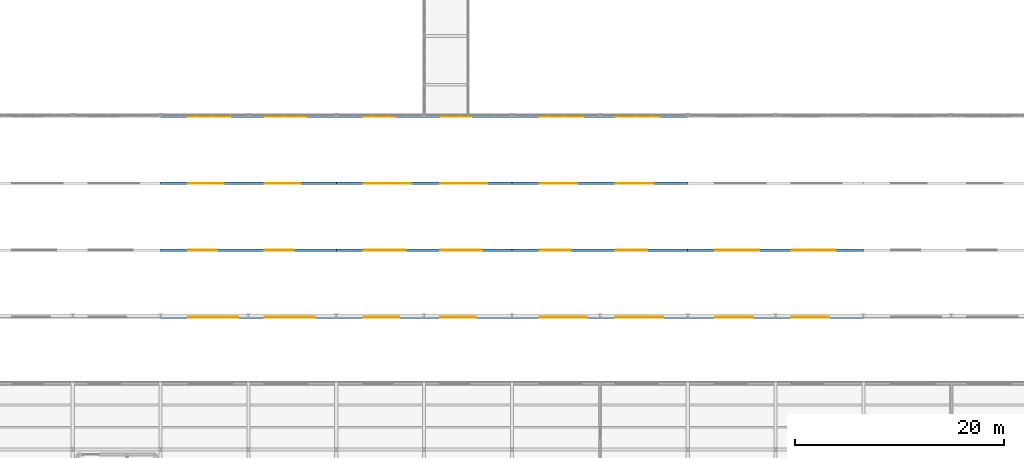
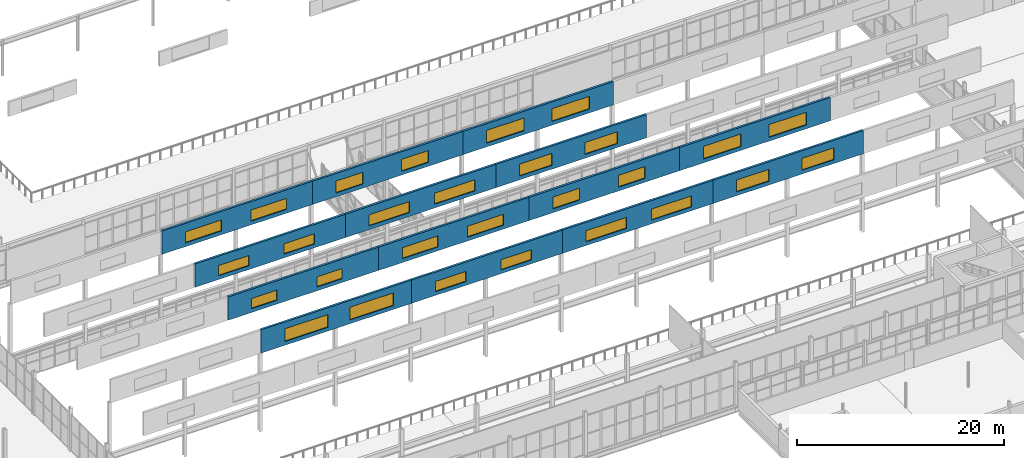
# One storey, part 201 of 218: 28 windows, 14 walls, 28 openings.
"""IFC4 building model written with IfcOpenShell, lengths in metres."""

from ifc_helpers import new_model, si_unit, direction, frame, frame_2d, origin, place, context, subcontext, project, spatial, rectangle, extrude, material, layer, layer_set, type_object, element, fill, save


model = new_model("IFC4")

# Units and contexts
model_context = context("Model", 3, precision=1e-05, world=origin(), true_north=direction((0.0, 1.0)))
body_context = subcontext(model_context, "Body", "Model", "MODEL_VIEW")
ifc_project = project(units=[si_unit("LENGTHUNIT", "METRE"), si_unit("AREAUNIT", "SQUARE_METRE"), si_unit("VOLUMEUNIT", "CUBIC_METRE"), si_unit("PLANEANGLEUNIT", "RADIAN"), si_unit("MASSUNIT", "GRAM", prefix="KILO")], contexts=[model_context])

# Site, building, storey
site_placement = place(None, origin())
site = spatial("IfcSite", under=ifc_project, at=site_placement, CompositionType="ELEMENT")
building_placement = place(site_placement, origin())
building = spatial("IfcBuilding", under=site, at=building_placement, Name="Kazenagashi Tramway Depot", CompositionType="ELEMENT")
storey_placement = place(building_placement, frame((0.0, 0.0, 6.0)))
storey = spatial("IfcBuildingStorey", under=building, at=storey_placement, Name="L02", CompositionType="ELEMENT", Elevation=6.0)

# Wall, openings, windows
ifc_material_1 = material(Name="Galvanised Steel Sheet Insulated Monitor Wall", Category="steel")
ifc_layer = layer(ifc_material_1, 0.24)
ifc_layer_set = layer_set([ifc_layer], Name="Galvanised Steel Sheet Insulated Monitor Wall")
wall_type = type_object("IfcWallType", Name="W-MN1", PredefinedType="SOLIDWALL", material=ifc_layer_set)
wall_1_placement = place(storey_placement, frame((61.6, 35.56, 9.3), z_axis=(0.0, 0.0, 1.0), x_axis=(1.0, 0.0, 0.0)))
wall_1 = element("IfcWall", 1, at=wall_1_placement, inside=storey, type_object=wall_type, Name="Exterior Brick Wall W-MN1 EWALL-0132", PredefinedType="SOLIDWALL", context=body_context, shape_type="SweptSolid", body=[
    extrude(rectangle(XDim=16.8, YDim=0.24, at=frame_2d((8.4, 0.0))), origin(), (0.0, 0.0, 1.0), 2.75),
])
opening_1_placement = place(wall_1_placement, frame((2.64, 0.0, 0.45)))
opening_1 = element("IfcOpeningElement", 2, at=opening_1_placement, cuts=wall_1, Name="Opening SK-04", PredefinedType="OPENING", context=body_context, shape_type="SweptSolid", body=[
    extrude(rectangle(XDim=4.8, YDim=1.5, at=frame_2d((2.4, 0.75))), frame((0.0, 0.13, 0.0), z_axis=(0.0, -1.0, 0.0), x_axis=(1.0, 0.0, 0.0)), (0.0, 0.0, 1.0), 0.26),
])
opening_2_placement = place(wall_1_placement, frame((9.94, 0.0, 0.45)))
opening_2 = element("IfcOpeningElement", 3, at=opening_2_placement, cuts=wall_1, Name="Opening SK-04", PredefinedType="OPENING", context=body_context, shape_type="SweptSolid", body=[
    extrude(rectangle(XDim=4.8, YDim=1.5, at=frame_2d((2.4, 0.75))), frame((0.0, 0.13, 0.0), z_axis=(0.0, -1.0, 0.0), x_axis=(1.0, 0.0, 0.0)), (0.0, 0.0, 1.0), 0.26),
])
ifc_material_2 = material(Name="Wired Fire-Rated Glass and Aluminium Frame", Category="aluminium")
window_type_1 = type_object("IfcWindowType", Name="SK-04", PartitioningType="SINGLE_PANEL", PredefinedType="SKYLIGHT", material=ifc_material_2)
window_1_placement = place(opening_1_placement, origin())
window_1 = element("IfcWindow", 4, at=window_1_placement, inside=storey, type_object=window_type_1, Name="Window SK-04 WIN-0108", OverallHeight=1.5, OverallWidth=4.8, PartitioningType="SINGLE_PANEL", PredefinedType="SKYLIGHT", context=body_context, shape_type="SweptSolid", body=[
    extrude(rectangle(XDim=4.8, YDim=1.5, at=frame_2d((2.4, 0.75))), frame((0.0, 0.03, 0.0), z_axis=(0.0, -1.0, 0.0), x_axis=(1.0, 0.0, 0.0)), (0.0, 0.0, 1.0), 0.06),
])
fill(opening_1, window_1)
window_2_placement = place(opening_2_placement, origin())
window_2 = element("IfcWindow", 5, at=window_2_placement, inside=storey, type_object=window_type_1, Name="Window SK-04 WIN-0109", OverallHeight=1.5, OverallWidth=4.8, PartitioningType="SINGLE_PANEL", PredefinedType="SKYLIGHT", context=body_context, shape_type="SweptSolid", body=[
    extrude(rectangle(XDim=4.8, YDim=1.5, at=frame_2d((2.4, 0.75))), frame((0.0, 0.03, 0.0), z_axis=(0.0, -1.0, 0.0), x_axis=(1.0, 0.0, 0.0)), (0.0, 0.0, 1.0), 0.06),
])
fill(opening_2, window_2)

wall_2_placement = place(storey_placement, frame((78.4, 35.56, 9.3), z_axis=(0.0, 0.0, 1.0), x_axis=(1.0, 0.0, 0.0)))
wall_2 = element("IfcWall", 6, at=wall_2_placement, inside=storey, type_object=wall_type, Name="Exterior Brick Wall W-MN1 EWALL-0133", PredefinedType="SOLIDWALL", context=body_context, shape_type="SweptSolid", body=[
    extrude(rectangle(XDim=16.8, YDim=0.24, at=frame_2d((8.4, 0.0))), origin(), (0.0, 0.0, 1.0), 2.75),
])
opening_3_placement = place(wall_2_placement, frame((2.64, 0.0, 0.45)))
opening_3 = element("IfcOpeningElement", 7, at=opening_3_placement, cuts=wall_2, Name="Opening SK-06", PredefinedType="OPENING", context=body_context, shape_type="SweptSolid", body=[
    extrude(rectangle(XDim=3.4, YDim=1.2, at=frame_2d((1.7, 0.6))), frame((0.0, 0.13, 0.0), z_axis=(0.0, -1.0, 0.0), x_axis=(1.0, 0.0, 0.0)), (0.0, 0.0, 1.0), 0.26),
])
opening_4_placement = place(wall_2_placement, frame((9.94, 0.0, 0.45)))
opening_4 = element("IfcOpeningElement", 8, at=opening_4_placement, cuts=wall_2, Name="Opening SK-06", PredefinedType="OPENING", context=body_context, shape_type="SweptSolid", body=[
    extrude(rectangle(XDim=3.4, YDim=1.2, at=frame_2d((1.7, 0.6))), frame((0.0, 0.13, 0.0), z_axis=(0.0, -1.0, 0.0), x_axis=(1.0, 0.0, 0.0)), (0.0, 0.0, 1.0), 0.26),
])
window_type_2 = type_object("IfcWindowType", Name="SK-06", PartitioningType="SINGLE_PANEL", PredefinedType="SKYLIGHT", material=ifc_material_2)
window_3_placement = place(opening_3_placement, origin())
window_3 = element("IfcWindow", 9, at=window_3_placement, inside=storey, type_object=window_type_2, Name="Window SK-06 WIN-0110", OverallHeight=1.2, OverallWidth=3.4, PartitioningType="SINGLE_PANEL", PredefinedType="SKYLIGHT", context=body_context, shape_type="SweptSolid", body=[
    extrude(rectangle(XDim=3.4, YDim=1.2, at=frame_2d((1.7, 0.6))), frame((0.0, 0.03, 0.0), z_axis=(0.0, -1.0, 0.0), x_axis=(1.0, 0.0, 0.0)), (0.0, 0.0, 1.0), 0.06),
])
fill(opening_3, window_3)
window_4_placement = place(opening_4_placement, origin())
window_4 = element("IfcWindow", 10, at=window_4_placement, inside=storey, type_object=window_type_2, Name="Window SK-06 WIN-0111", OverallHeight=1.2, OverallWidth=3.4, PartitioningType="SINGLE_PANEL", PredefinedType="SKYLIGHT", context=body_context, shape_type="SweptSolid", body=[
    extrude(rectangle(XDim=3.4, YDim=1.2, at=frame_2d((1.7, 0.6))), frame((0.0, 0.03, 0.0), z_axis=(0.0, -1.0, 0.0), x_axis=(1.0, 0.0, 0.0)), (0.0, 0.0, 1.0), 0.06),
])
fill(opening_4, window_4)

wall_3_placement = place(storey_placement, frame((95.2, 35.56, 9.3), z_axis=(0.0, 0.0, 1.0), x_axis=(1.0, 0.0, 0.0)))
wall_3 = element("IfcWall", 11, at=wall_3_placement, inside=storey, type_object=wall_type, Name="Exterior Brick Wall W-MN1 EWALL-0134", PredefinedType="SOLIDWALL", context=body_context, shape_type="SweptSolid", body=[
    extrude(rectangle(XDim=16.8, YDim=0.24, at=frame_2d((8.4, 0.0))), origin(), (0.0, 0.0, 1.0), 2.75),
])
opening_5_placement = place(wall_3_placement, frame((2.64, 0.0, 0.45)))
opening_5 = element("IfcOpeningElement", 12, at=opening_5_placement, cuts=wall_3, Name="Opening SK-08", PredefinedType="OPENING", context=body_context, shape_type="SweptSolid", body=[
    extrude(rectangle(XDim=4.5, YDim=1.3, at=frame_2d((2.25, 0.65))), frame((0.0, 0.13, 0.0), z_axis=(0.0, -1.0, 0.0), x_axis=(1.0, 0.0, 0.0)), (0.0, 0.0, 1.0), 0.26),
])
opening_6_placement = place(wall_3_placement, frame((9.94, 0.0, 0.45)))
opening_6 = element("IfcOpeningElement", 13, at=opening_6_placement, cuts=wall_3, Name="Opening SK-08", PredefinedType="OPENING", context=body_context, shape_type="SweptSolid", body=[
    extrude(rectangle(XDim=4.5, YDim=1.3, at=frame_2d((2.25, 0.65))), frame((0.0, 0.13, 0.0), z_axis=(0.0, -1.0, 0.0), x_axis=(1.0, 0.0, 0.0)), (0.0, 0.0, 1.0), 0.26),
])
window_type_3 = type_object("IfcWindowType", Name="SK-08", PartitioningType="SINGLE_PANEL", PredefinedType="SKYLIGHT", material=ifc_material_2)
window_5_placement = place(opening_5_placement, origin())
window_5 = element("IfcWindow", 14, at=window_5_placement, inside=storey, type_object=window_type_3, Name="Window SK-08 WIN-0112", OverallHeight=1.3, OverallWidth=4.5, PartitioningType="SINGLE_PANEL", PredefinedType="SKYLIGHT", context=body_context, shape_type="SweptSolid", body=[
    extrude(rectangle(XDim=4.5, YDim=1.3, at=frame_2d((2.25, 0.65))), frame((0.0, 0.03, 0.0), z_axis=(0.0, -1.0, 0.0), x_axis=(1.0, 0.0, 0.0)), (0.0, 0.0, 1.0), 0.06),
])
fill(opening_5, window_5)
window_6_placement = place(opening_6_placement, origin())
window_6 = element("IfcWindow", 15, at=window_6_placement, inside=storey, type_object=window_type_3, Name="Window SK-08 WIN-0113", OverallHeight=1.3, OverallWidth=4.5, PartitioningType="SINGLE_PANEL", PredefinedType="SKYLIGHT", context=body_context, shape_type="SweptSolid", body=[
    extrude(rectangle(XDim=4.5, YDim=1.3, at=frame_2d((2.25, 0.65))), frame((0.0, 0.03, 0.0), z_axis=(0.0, -1.0, 0.0), x_axis=(1.0, 0.0, 0.0)), (0.0, 0.0, 1.0), 0.06),
])
fill(opening_6, window_6)

wall_4_placement = place(storey_placement, frame((112.0, 35.56, 9.3), z_axis=(0.0, 0.0, 1.0), x_axis=(1.0, 0.0, 0.0)))
wall_4 = element("IfcWall", 16, at=wall_4_placement, inside=storey, type_object=wall_type, Name="Exterior Brick Wall W-MN1 EWALL-0135", PredefinedType="SOLIDWALL", context=body_context, shape_type="SweptSolid", body=[
    extrude(rectangle(XDim=16.8, YDim=0.24, at=frame_2d((8.4, 0.0))), origin(), (0.0, 0.0, 1.0), 2.75),
])
opening_7_placement = place(wall_4_placement, frame((2.64, 0.0, 0.45)))
opening_7 = element("IfcOpeningElement", 17, at=opening_7_placement, cuts=wall_4, Name="Opening SK-02", PredefinedType="OPENING", context=body_context, shape_type="SweptSolid", body=[
    extrude(rectangle(XDim=3.6, YDim=1.4, at=frame_2d((1.8, 0.7))), frame((0.0, 0.13, 0.0), z_axis=(0.0, -1.0, 0.0), x_axis=(1.0, 0.0, 0.0)), (0.0, 0.0, 1.0), 0.26),
])
opening_8_placement = place(wall_4_placement, frame((9.94, 0.0, 0.45)))
opening_8 = element("IfcOpeningElement", 18, at=opening_8_placement, cuts=wall_4, Name="Opening SK-02", PredefinedType="OPENING", context=body_context, shape_type="SweptSolid", body=[
    extrude(rectangle(XDim=3.6, YDim=1.4, at=frame_2d((1.8, 0.7))), frame((0.0, 0.13, 0.0), z_axis=(0.0, -1.0, 0.0), x_axis=(1.0, 0.0, 0.0)), (0.0, 0.0, 1.0), 0.26),
])
window_type_4 = type_object("IfcWindowType", Name="SK-02", PartitioningType="SINGLE_PANEL", PredefinedType="SKYLIGHT", material=ifc_material_2)
window_7_placement = place(opening_7_placement, origin())
window_7 = element("IfcWindow", 19, at=window_7_placement, inside=storey, type_object=window_type_4, Name="Window SK-02 WIN-0114", OverallHeight=1.4, OverallWidth=3.6, PartitioningType="SINGLE_PANEL", PredefinedType="SKYLIGHT", context=body_context, shape_type="SweptSolid", body=[
    extrude(rectangle(XDim=3.6, YDim=1.4, at=frame_2d((1.8, 0.7))), frame((0.0, 0.03, 0.0), z_axis=(0.0, -1.0, 0.0), x_axis=(1.0, 0.0, 0.0)), (0.0, 0.0, 1.0), 0.06),
])
fill(opening_7, window_7)
window_8_placement = place(opening_8_placement, origin())
window_8 = element("IfcWindow", 20, at=window_8_placement, inside=storey, type_object=window_type_4, Name="Window SK-02 WIN-0115", OverallHeight=1.4, OverallWidth=3.6, PartitioningType="SINGLE_PANEL", PredefinedType="SKYLIGHT", context=body_context, shape_type="SweptSolid", body=[
    extrude(rectangle(XDim=3.6, YDim=1.4, at=frame_2d((1.8, 0.7))), frame((0.0, 0.03, 0.0), z_axis=(0.0, -1.0, 0.0), x_axis=(1.0, 0.0, 0.0)), (0.0, 0.0, 1.0), 0.06),
])
fill(opening_8, window_8)

wall_5_placement = place(storey_placement, frame((61.6, 41.96, 9.3), z_axis=(0.0, 0.0, 1.0), x_axis=(1.0, 0.0, 0.0)))
wall_5 = element("IfcWall", 21, at=wall_5_placement, inside=storey, type_object=wall_type, Name="Exterior Brick Wall W-MN1 EWALL-0138", PredefinedType="SOLIDWALL", context=body_context, shape_type="SweptSolid", body=[
    extrude(rectangle(XDim=16.8, YDim=0.24, at=frame_2d((8.4, 0.0))), origin(), (0.0, 0.0, 1.0), 2.75),
])
opening_9_placement = place(wall_5_placement, frame((2.64, 0.0, 0.45)))
opening_9 = element("IfcOpeningElement", 22, at=opening_9_placement, cuts=wall_5, Name="Opening SK-05", PredefinedType="OPENING", context=body_context, shape_type="SweptSolid", body=[
    extrude(rectangle(XDim=2.8, YDim=1.2, at=frame_2d((1.4, 0.6))), frame((0.0, 0.13, 0.0), z_axis=(0.0, -1.0, 0.0), x_axis=(1.0, 0.0, 0.0)), (0.0, 0.0, 1.0), 0.26),
])
opening_10_placement = place(wall_5_placement, frame((9.94, 0.0, 0.45)))
opening_10 = element("IfcOpeningElement", 23, at=opening_10_placement, cuts=wall_5, Name="Opening SK-05", PredefinedType="OPENING", context=body_context, shape_type="SweptSolid", body=[
    extrude(rectangle(XDim=2.8, YDim=1.2, at=frame_2d((1.4, 0.6))), frame((0.0, 0.13, 0.0), z_axis=(0.0, -1.0, 0.0), x_axis=(1.0, 0.0, 0.0)), (0.0, 0.0, 1.0), 0.26),
])
window_type_5 = type_object("IfcWindowType", Name="SK-05", PartitioningType="SINGLE_PANEL", PredefinedType="SKYLIGHT", material=ifc_material_2)
window_9_placement = place(opening_9_placement, origin())
window_9 = element("IfcWindow", 24, at=window_9_placement, inside=storey, type_object=window_type_5, Name="Window SK-05 WIN-0120", OverallHeight=1.2, OverallWidth=2.8, PartitioningType="SINGLE_PANEL", PredefinedType="SKYLIGHT", context=body_context, shape_type="SweptSolid", body=[
    extrude(rectangle(XDim=2.8, YDim=1.2, at=frame_2d((1.4, 0.6))), frame((0.0, 0.03, 0.0), z_axis=(0.0, -1.0, 0.0), x_axis=(1.0, 0.0, 0.0)), (0.0, 0.0, 1.0), 0.06),
])
fill(opening_9, window_9)
window_10_placement = place(opening_10_placement, origin())
window_10 = element("IfcWindow", 25, at=window_10_placement, inside=storey, type_object=window_type_5, Name="Window SK-05 WIN-0121", OverallHeight=1.2, OverallWidth=2.8, PartitioningType="SINGLE_PANEL", PredefinedType="SKYLIGHT", context=body_context, shape_type="SweptSolid", body=[
    extrude(rectangle(XDim=2.8, YDim=1.2, at=frame_2d((1.4, 0.6))), frame((0.0, 0.03, 0.0), z_axis=(0.0, -1.0, 0.0), x_axis=(1.0, 0.0, 0.0)), (0.0, 0.0, 1.0), 0.06),
])
fill(opening_10, window_10)

wall_6_placement = place(storey_placement, frame((78.4, 41.96, 9.3), z_axis=(0.0, 0.0, 1.0), x_axis=(1.0, 0.0, 0.0)))
wall_6 = element("IfcWall", 26, at=wall_6_placement, inside=storey, type_object=wall_type, Name="Exterior Brick Wall W-MN1 EWALL-0139", PredefinedType="SOLIDWALL", context=body_context, shape_type="SweptSolid", body=[
    extrude(rectangle(XDim=16.8, YDim=0.24, at=frame_2d((8.4, 0.0))), origin(), (0.0, 0.0, 1.0), 2.75),
])
opening_11_placement = place(wall_6_placement, frame((2.64, 0.0, 0.45)))
opening_11 = element("IfcOpeningElement", 27, at=opening_11_placement, cuts=wall_6, Name="Opening SK-07", PredefinedType="OPENING", context=body_context, shape_type="SweptSolid", body=[
    extrude(rectangle(XDim=4.0, YDim=1.3, at=frame_2d((2.0, 0.65))), frame((0.0, 0.13, 0.0), z_axis=(0.0, -1.0, 0.0), x_axis=(1.0, 0.0, 0.0)), (0.0, 0.0, 1.0), 0.26),
])
opening_12_placement = place(wall_6_placement, frame((9.94, 0.0, 0.45)))
opening_12 = element("IfcOpeningElement", 28, at=opening_12_placement, cuts=wall_6, Name="Opening SK-07", PredefinedType="OPENING", context=body_context, shape_type="SweptSolid", body=[
    extrude(rectangle(XDim=4.0, YDim=1.3, at=frame_2d((2.0, 0.65))), frame((0.0, 0.13, 0.0), z_axis=(0.0, -1.0, 0.0), x_axis=(1.0, 0.0, 0.0)), (0.0, 0.0, 1.0), 0.26),
])
window_type_6 = type_object("IfcWindowType", Name="SK-07", PartitioningType="SINGLE_PANEL", PredefinedType="SKYLIGHT", material=ifc_material_2)
window_11_placement = place(opening_11_placement, origin())
window_11 = element("IfcWindow", 29, at=window_11_placement, inside=storey, type_object=window_type_6, Name="Window SK-07 WIN-0122", OverallHeight=1.3, OverallWidth=4.0, PartitioningType="SINGLE_PANEL", PredefinedType="SKYLIGHT", context=body_context, shape_type="SweptSolid", body=[
    extrude(rectangle(XDim=4.0, YDim=1.3, at=frame_2d((2.0, 0.65))), frame((0.0, 0.03, 0.0), z_axis=(0.0, -1.0, 0.0), x_axis=(1.0, 0.0, 0.0)), (0.0, 0.0, 1.0), 0.06),
])
fill(opening_11, window_11)
window_12_placement = place(opening_12_placement, origin())
window_12 = element("IfcWindow", 30, at=window_12_placement, inside=storey, type_object=window_type_6, Name="Window SK-07 WIN-0123", OverallHeight=1.3, OverallWidth=4.0, PartitioningType="SINGLE_PANEL", PredefinedType="SKYLIGHT", context=body_context, shape_type="SweptSolid", body=[
    extrude(rectangle(XDim=4.0, YDim=1.3, at=frame_2d((2.0, 0.65))), frame((0.0, 0.03, 0.0), z_axis=(0.0, -1.0, 0.0), x_axis=(1.0, 0.0, 0.0)), (0.0, 0.0, 1.0), 0.06),
])
fill(opening_12, window_12)

wall_7_placement = place(storey_placement, frame((95.2, 41.96, 9.3), z_axis=(0.0, 0.0, 1.0), x_axis=(1.0, 0.0, 0.0)))
wall_7 = element("IfcWall", 31, at=wall_7_placement, inside=storey, type_object=wall_type, Name="Exterior Brick Wall W-MN1 EWALL-0140", PredefinedType="SOLIDWALL", context=body_context, shape_type="SweptSolid", body=[
    extrude(rectangle(XDim=16.8, YDim=0.24, at=frame_2d((8.4, 0.0))), origin(), (0.0, 0.0, 1.0), 2.75),
])
opening_13_placement = place(wall_7_placement, frame((2.64, 0.0, 0.45)))
opening_13 = element("IfcOpeningElement", 32, at=opening_13_placement, cuts=wall_7, Name="Opening SK-01", PredefinedType="OPENING", context=body_context, shape_type="SweptSolid", body=[
    extrude(rectangle(XDim=3.0, YDim=1.4, at=frame_2d((1.5, 0.7))), frame((0.0, 0.13, 0.0), z_axis=(0.0, -1.0, 0.0), x_axis=(1.0, 0.0, 0.0)), (0.0, 0.0, 1.0), 0.26),
])
opening_14_placement = place(wall_7_placement, frame((9.94, 0.0, 0.45)))
opening_14 = element("IfcOpeningElement", 33, at=opening_14_placement, cuts=wall_7, Name="Opening SK-01", PredefinedType="OPENING", context=body_context, shape_type="SweptSolid", body=[
    extrude(rectangle(XDim=3.0, YDim=1.4, at=frame_2d((1.5, 0.7))), frame((0.0, 0.13, 0.0), z_axis=(0.0, -1.0, 0.0), x_axis=(1.0, 0.0, 0.0)), (0.0, 0.0, 1.0), 0.26),
])
window_type_7 = type_object("IfcWindowType", Name="SK-01", PartitioningType="SINGLE_PANEL", PredefinedType="SKYLIGHT", material=ifc_material_2)
window_13_placement = place(opening_13_placement, origin())
window_13 = element("IfcWindow", 34, at=window_13_placement, inside=storey, type_object=window_type_7, Name="Window SK-01 WIN-0124", OverallHeight=1.4, OverallWidth=3.0, PartitioningType="SINGLE_PANEL", PredefinedType="SKYLIGHT", context=body_context, shape_type="SweptSolid", body=[
    extrude(rectangle(XDim=3.0, YDim=1.4, at=frame_2d((1.5, 0.7))), frame((0.0, 0.03, 0.0), z_axis=(0.0, -1.0, 0.0), x_axis=(1.0, 0.0, 0.0)), (0.0, 0.0, 1.0), 0.06),
])
fill(opening_13, window_13)
window_14_placement = place(opening_14_placement, origin())
window_14 = element("IfcWindow", 35, at=window_14_placement, inside=storey, type_object=window_type_7, Name="Window SK-01 WIN-0125", OverallHeight=1.4, OverallWidth=3.0, PartitioningType="SINGLE_PANEL", PredefinedType="SKYLIGHT", context=body_context, shape_type="SweptSolid", body=[
    extrude(rectangle(XDim=3.0, YDim=1.4, at=frame_2d((1.5, 0.7))), frame((0.0, 0.03, 0.0), z_axis=(0.0, -1.0, 0.0), x_axis=(1.0, 0.0, 0.0)), (0.0, 0.0, 1.0), 0.06),
])
fill(opening_14, window_14)

wall_8_placement = place(storey_placement, frame((112.0, 41.96, 9.3), z_axis=(0.0, 0.0, 1.0), x_axis=(1.0, 0.0, 0.0)))
wall_8 = element("IfcWall", 36, at=wall_8_placement, inside=storey, type_object=wall_type, Name="Exterior Brick Wall W-MN1 EWALL-0141", PredefinedType="SOLIDWALL", context=body_context, shape_type="SweptSolid", body=[
    extrude(rectangle(XDim=16.8, YDim=0.24, at=frame_2d((8.4, 0.0))), origin(), (0.0, 0.0, 1.0), 2.75),
])
opening_15_placement = place(wall_8_placement, frame((2.64, 0.0, 0.45)))
opening_15 = element("IfcOpeningElement", 37, at=opening_15_placement, cuts=wall_8, Name="Opening SK-03", PredefinedType="OPENING", context=body_context, shape_type="SweptSolid", body=[
    extrude(rectangle(XDim=4.2, YDim=1.5, at=frame_2d((2.1, 0.75))), frame((0.0, 0.13, 0.0), z_axis=(0.0, -1.0, 0.0), x_axis=(1.0, 0.0, 0.0)), (0.0, 0.0, 1.0), 0.26),
])
opening_16_placement = place(wall_8_placement, frame((9.94, 0.0, 0.45)))
opening_16 = element("IfcOpeningElement", 38, at=opening_16_placement, cuts=wall_8, Name="Opening SK-03", PredefinedType="OPENING", context=body_context, shape_type="SweptSolid", body=[
    extrude(rectangle(XDim=4.2, YDim=1.5, at=frame_2d((2.1, 0.75))), frame((0.0, 0.13, 0.0), z_axis=(0.0, -1.0, 0.0), x_axis=(1.0, 0.0, 0.0)), (0.0, 0.0, 1.0), 0.26),
])
window_type_8 = type_object("IfcWindowType", Name="SK-03", PartitioningType="SINGLE_PANEL", PredefinedType="SKYLIGHT", material=ifc_material_2)
window_15_placement = place(opening_15_placement, origin())
window_15 = element("IfcWindow", 39, at=window_15_placement, inside=storey, type_object=window_type_8, Name="Window SK-03 WIN-0126", OverallHeight=1.5, OverallWidth=4.2, PartitioningType="SINGLE_PANEL", PredefinedType="SKYLIGHT", context=body_context, shape_type="SweptSolid", body=[
    extrude(rectangle(XDim=4.2, YDim=1.5, at=frame_2d((2.1, 0.75))), frame((0.0, 0.03, 0.0), z_axis=(0.0, -1.0, 0.0), x_axis=(1.0, 0.0, 0.0)), (0.0, 0.0, 1.0), 0.06),
])
fill(opening_15, window_15)
window_16_placement = place(opening_16_placement, origin())
window_16 = element("IfcWindow", 40, at=window_16_placement, inside=storey, type_object=window_type_8, Name="Window SK-03 WIN-0127", OverallHeight=1.5, OverallWidth=4.2, PartitioningType="SINGLE_PANEL", PredefinedType="SKYLIGHT", context=body_context, shape_type="SweptSolid", body=[
    extrude(rectangle(XDim=4.2, YDim=1.5, at=frame_2d((2.1, 0.75))), frame((0.0, 0.03, 0.0), z_axis=(0.0, -1.0, 0.0), x_axis=(1.0, 0.0, 0.0)), (0.0, 0.0, 1.0), 0.06),
])
fill(opening_16, window_16)

wall_9_placement = place(storey_placement, frame((61.6, 48.36, 9.3), z_axis=(0.0, 0.0, 1.0), x_axis=(1.0, 0.0, 0.0)))
wall_9 = element("IfcWall", 41, at=wall_9_placement, inside=storey, type_object=wall_type, Name="Exterior Brick Wall W-MN1 EWALL-0144", PredefinedType="SOLIDWALL", context=body_context, shape_type="SweptSolid", body=[
    extrude(rectangle(XDim=16.8, YDim=0.24, at=frame_2d((8.4, 0.0))), origin(), (0.0, 0.0, 1.0), 2.75),
])
opening_17_placement = place(wall_9_placement, frame((2.64, 0.0, 0.45)))
opening_17 = element("IfcOpeningElement", 42, at=opening_17_placement, cuts=wall_9, Name="Opening SK-06", PredefinedType="OPENING", context=body_context, shape_type="SweptSolid", body=[
    extrude(rectangle(XDim=3.4, YDim=1.2, at=frame_2d((1.7, 0.6))), frame((0.0, 0.13, 0.0), z_axis=(0.0, -1.0, 0.0), x_axis=(1.0, 0.0, 0.0)), (0.0, 0.0, 1.0), 0.26),
])
opening_18_placement = place(wall_9_placement, frame((9.94, 0.0, 0.45)))
opening_18 = element("IfcOpeningElement", 43, at=opening_18_placement, cuts=wall_9, Name="Opening SK-06", PredefinedType="OPENING", context=body_context, shape_type="SweptSolid", body=[
    extrude(rectangle(XDim=3.4, YDim=1.2, at=frame_2d((1.7, 0.6))), frame((0.0, 0.13, 0.0), z_axis=(0.0, -1.0, 0.0), x_axis=(1.0, 0.0, 0.0)), (0.0, 0.0, 1.0), 0.26),
])
window_17_placement = place(opening_17_placement, origin())
window_17 = element("IfcWindow", 44, at=window_17_placement, inside=storey, type_object=window_type_2, Name="Window SK-06 WIN-0132", OverallHeight=1.2, OverallWidth=3.4, PartitioningType="SINGLE_PANEL", PredefinedType="SKYLIGHT", context=body_context, shape_type="SweptSolid", body=[
    extrude(rectangle(XDim=3.4, YDim=1.2, at=frame_2d((1.7, 0.6))), frame((0.0, 0.03, 0.0), z_axis=(0.0, -1.0, 0.0), x_axis=(1.0, 0.0, 0.0)), (0.0, 0.0, 1.0), 0.06),
])
fill(opening_17, window_17)
window_18_placement = place(opening_18_placement, origin())
window_18 = element("IfcWindow", 45, at=window_18_placement, inside=storey, type_object=window_type_2, Name="Window SK-06 WIN-0133", OverallHeight=1.2, OverallWidth=3.4, PartitioningType="SINGLE_PANEL", PredefinedType="SKYLIGHT", context=body_context, shape_type="SweptSolid", body=[
    extrude(rectangle(XDim=3.4, YDim=1.2, at=frame_2d((1.7, 0.6))), frame((0.0, 0.03, 0.0), z_axis=(0.0, -1.0, 0.0), x_axis=(1.0, 0.0, 0.0)), (0.0, 0.0, 1.0), 0.06),
])
fill(opening_18, window_18)

wall_10_placement = place(storey_placement, frame((78.4, 48.36, 9.3), z_axis=(0.0, 0.0, 1.0), x_axis=(1.0, 0.0, 0.0)))
wall_10 = element("IfcWall", 46, at=wall_10_placement, inside=storey, type_object=wall_type, Name="Exterior Brick Wall W-MN1 EWALL-0145", PredefinedType="SOLIDWALL", context=body_context, shape_type="SweptSolid", body=[
    extrude(rectangle(XDim=16.8, YDim=0.24, at=frame_2d((8.4, 0.0))), origin(), (0.0, 0.0, 1.0), 2.75),
])
opening_19_placement = place(wall_10_placement, frame((2.64, 0.0, 0.45)))
opening_19 = element("IfcOpeningElement", 47, at=opening_19_placement, cuts=wall_10, Name="Opening SK-08", PredefinedType="OPENING", context=body_context, shape_type="SweptSolid", body=[
    extrude(rectangle(XDim=4.5, YDim=1.3, at=frame_2d((2.25, 0.65))), frame((0.0, 0.13, 0.0), z_axis=(0.0, -1.0, 0.0), x_axis=(1.0, 0.0, 0.0)), (0.0, 0.0, 1.0), 0.26),
])
opening_20_placement = place(wall_10_placement, frame((9.94, 0.0, 0.45)))
opening_20 = element("IfcOpeningElement", 48, at=opening_20_placement, cuts=wall_10, Name="Opening SK-08", PredefinedType="OPENING", context=body_context, shape_type="SweptSolid", body=[
    extrude(rectangle(XDim=4.5, YDim=1.3, at=frame_2d((2.25, 0.65))), frame((0.0, 0.13, 0.0), z_axis=(0.0, -1.0, 0.0), x_axis=(1.0, 0.0, 0.0)), (0.0, 0.0, 1.0), 0.26),
])
window_19_placement = place(opening_19_placement, origin())
window_19 = element("IfcWindow", 49, at=window_19_placement, inside=storey, type_object=window_type_3, Name="Window SK-08 WIN-0134", OverallHeight=1.3, OverallWidth=4.5, PartitioningType="SINGLE_PANEL", PredefinedType="SKYLIGHT", context=body_context, shape_type="SweptSolid", body=[
    extrude(rectangle(XDim=4.5, YDim=1.3, at=frame_2d((2.25, 0.65))), frame((0.0, 0.03, 0.0), z_axis=(0.0, -1.0, 0.0), x_axis=(1.0, 0.0, 0.0)), (0.0, 0.0, 1.0), 0.06),
])
fill(opening_19, window_19)
window_20_placement = place(opening_20_placement, origin())
window_20 = element("IfcWindow", 50, at=window_20_placement, inside=storey, type_object=window_type_3, Name="Window SK-08 WIN-0135", OverallHeight=1.3, OverallWidth=4.5, PartitioningType="SINGLE_PANEL", PredefinedType="SKYLIGHT", context=body_context, shape_type="SweptSolid", body=[
    extrude(rectangle(XDim=4.5, YDim=1.3, at=frame_2d((2.25, 0.65))), frame((0.0, 0.03, 0.0), z_axis=(0.0, -1.0, 0.0), x_axis=(1.0, 0.0, 0.0)), (0.0, 0.0, 1.0), 0.06),
])
fill(opening_20, window_20)

wall_11_placement = place(storey_placement, frame((95.2, 48.36, 9.3), z_axis=(0.0, 0.0, 1.0), x_axis=(1.0, 0.0, 0.0)))
wall_11 = element("IfcWall", 51, at=wall_11_placement, inside=storey, type_object=wall_type, Name="Exterior Brick Wall W-MN1 EWALL-0146", PredefinedType="SOLIDWALL", context=body_context, shape_type="SweptSolid", body=[
    extrude(rectangle(XDim=16.8, YDim=0.24, at=frame_2d((8.4, 0.0))), origin(), (0.0, 0.0, 1.0), 2.75),
])
opening_21_placement = place(wall_11_placement, frame((2.64, 0.0, 0.45)))
opening_21 = element("IfcOpeningElement", 52, at=opening_21_placement, cuts=wall_11, Name="Opening SK-02", PredefinedType="OPENING", context=body_context, shape_type="SweptSolid", body=[
    extrude(rectangle(XDim=3.6, YDim=1.4, at=frame_2d((1.8, 0.7))), frame((0.0, 0.13, 0.0), z_axis=(0.0, -1.0, 0.0), x_axis=(1.0, 0.0, 0.0)), (0.0, 0.0, 1.0), 0.26),
])
opening_22_placement = place(wall_11_placement, frame((9.94, 0.0, 0.45)))
opening_22 = element("IfcOpeningElement", 53, at=opening_22_placement, cuts=wall_11, Name="Opening SK-02", PredefinedType="OPENING", context=body_context, shape_type="SweptSolid", body=[
    extrude(rectangle(XDim=3.6, YDim=1.4, at=frame_2d((1.8, 0.7))), frame((0.0, 0.13, 0.0), z_axis=(0.0, -1.0, 0.0), x_axis=(1.0, 0.0, 0.0)), (0.0, 0.0, 1.0), 0.26),
])
window_21_placement = place(opening_21_placement, origin())
window_21 = element("IfcWindow", 54, at=window_21_placement, inside=storey, type_object=window_type_4, Name="Window SK-02 WIN-0136", OverallHeight=1.4, OverallWidth=3.6, PartitioningType="SINGLE_PANEL", PredefinedType="SKYLIGHT", context=body_context, shape_type="SweptSolid", body=[
    extrude(rectangle(XDim=3.6, YDim=1.4, at=frame_2d((1.8, 0.7))), frame((0.0, 0.03, 0.0), z_axis=(0.0, -1.0, 0.0), x_axis=(1.0, 0.0, 0.0)), (0.0, 0.0, 1.0), 0.06),
])
fill(opening_21, window_21)
window_22_placement = place(opening_22_placement, origin())
window_22 = element("IfcWindow", 55, at=window_22_placement, inside=storey, type_object=window_type_4, Name="Window SK-02 WIN-0137", OverallHeight=1.4, OverallWidth=3.6, PartitioningType="SINGLE_PANEL", PredefinedType="SKYLIGHT", context=body_context, shape_type="SweptSolid", body=[
    extrude(rectangle(XDim=3.6, YDim=1.4, at=frame_2d((1.8, 0.7))), frame((0.0, 0.03, 0.0), z_axis=(0.0, -1.0, 0.0), x_axis=(1.0, 0.0, 0.0)), (0.0, 0.0, 1.0), 0.06),
])
fill(opening_22, window_22)

wall_12_placement = place(storey_placement, frame((61.6, 54.76, 9.3), z_axis=(0.0, 0.0, 1.0), x_axis=(1.0, 0.0, 0.0)))
wall_12 = element("IfcWall", 56, at=wall_12_placement, inside=storey, type_object=wall_type, Name="Exterior Brick Wall W-MN1 EWALL-0150", PredefinedType="SOLIDWALL", context=body_context, shape_type="SweptSolid", body=[
    extrude(rectangle(XDim=16.8, YDim=0.24, at=frame_2d((8.4, 0.0))), origin(), (0.0, 0.0, 1.0), 2.75),
])
opening_23_placement = place(wall_12_placement, frame((2.64, 0.0, 0.45)))
opening_23 = element("IfcOpeningElement", 57, at=opening_23_placement, cuts=wall_12, Name="Opening SK-07", PredefinedType="OPENING", context=body_context, shape_type="SweptSolid", body=[
    extrude(rectangle(XDim=4.0, YDim=1.3, at=frame_2d((2.0, 0.65))), frame((0.0, 0.13, 0.0), z_axis=(0.0, -1.0, 0.0), x_axis=(1.0, 0.0, 0.0)), (0.0, 0.0, 1.0), 0.26),
])
opening_24_placement = place(wall_12_placement, frame((9.94, 0.0, 0.45)))
opening_24 = element("IfcOpeningElement", 58, at=opening_24_placement, cuts=wall_12, Name="Opening SK-07", PredefinedType="OPENING", context=body_context, shape_type="SweptSolid", body=[
    extrude(rectangle(XDim=4.0, YDim=1.3, at=frame_2d((2.0, 0.65))), frame((0.0, 0.13, 0.0), z_axis=(0.0, -1.0, 0.0), x_axis=(1.0, 0.0, 0.0)), (0.0, 0.0, 1.0), 0.26),
])
window_23_placement = place(opening_23_placement, origin())
window_23 = element("IfcWindow", 59, at=window_23_placement, inside=storey, type_object=window_type_6, Name="Window SK-07 WIN-0144", OverallHeight=1.3, OverallWidth=4.0, PartitioningType="SINGLE_PANEL", PredefinedType="SKYLIGHT", context=body_context, shape_type="SweptSolid", body=[
    extrude(rectangle(XDim=4.0, YDim=1.3, at=frame_2d((2.0, 0.65))), frame((0.0, 0.03, 0.0), z_axis=(0.0, -1.0, 0.0), x_axis=(1.0, 0.0, 0.0)), (0.0, 0.0, 1.0), 0.06),
])
fill(opening_23, window_23)
window_24_placement = place(opening_24_placement, origin())
window_24 = element("IfcWindow", 60, at=window_24_placement, inside=storey, type_object=window_type_6, Name="Window SK-07 WIN-0145", OverallHeight=1.3, OverallWidth=4.0, PartitioningType="SINGLE_PANEL", PredefinedType="SKYLIGHT", context=body_context, shape_type="SweptSolid", body=[
    extrude(rectangle(XDim=4.0, YDim=1.3, at=frame_2d((2.0, 0.65))), frame((0.0, 0.03, 0.0), z_axis=(0.0, -1.0, 0.0), x_axis=(1.0, 0.0, 0.0)), (0.0, 0.0, 1.0), 0.06),
])
fill(opening_24, window_24)

wall_13_placement = place(storey_placement, frame((78.4, 54.76, 9.3), z_axis=(0.0, 0.0, 1.0), x_axis=(1.0, 0.0, 0.0)))
wall_13 = element("IfcWall", 61, at=wall_13_placement, inside=storey, type_object=wall_type, Name="Exterior Brick Wall W-MN1 EWALL-0151", PredefinedType="SOLIDWALL", context=body_context, shape_type="SweptSolid", body=[
    extrude(rectangle(XDim=16.8, YDim=0.24, at=frame_2d((8.4, 0.0))), origin(), (0.0, 0.0, 1.0), 2.75),
])
opening_25_placement = place(wall_13_placement, frame((2.64, 0.0, 0.45)))
opening_25 = element("IfcOpeningElement", 62, at=opening_25_placement, cuts=wall_13, Name="Opening SK-01", PredefinedType="OPENING", context=body_context, shape_type="SweptSolid", body=[
    extrude(rectangle(XDim=3.0, YDim=1.4, at=frame_2d((1.5, 0.7))), frame((0.0, 0.13, 0.0), z_axis=(0.0, -1.0, 0.0), x_axis=(1.0, 0.0, 0.0)), (0.0, 0.0, 1.0), 0.26),
])
opening_26_placement = place(wall_13_placement, frame((9.94, 0.0, 0.45)))
opening_26 = element("IfcOpeningElement", 63, at=opening_26_placement, cuts=wall_13, Name="Opening SK-01", PredefinedType="OPENING", context=body_context, shape_type="SweptSolid", body=[
    extrude(rectangle(XDim=3.0, YDim=1.4, at=frame_2d((1.5, 0.7))), frame((0.0, 0.13, 0.0), z_axis=(0.0, -1.0, 0.0), x_axis=(1.0, 0.0, 0.0)), (0.0, 0.0, 1.0), 0.26),
])
window_25_placement = place(opening_25_placement, origin())
window_25 = element("IfcWindow", 64, at=window_25_placement, inside=storey, type_object=window_type_7, Name="Window SK-01 WIN-0146", OverallHeight=1.4, OverallWidth=3.0, PartitioningType="SINGLE_PANEL", PredefinedType="SKYLIGHT", context=body_context, shape_type="SweptSolid", body=[
    extrude(rectangle(XDim=3.0, YDim=1.4, at=frame_2d((1.5, 0.7))), frame((0.0, 0.03, 0.0), z_axis=(0.0, -1.0, 0.0), x_axis=(1.0, 0.0, 0.0)), (0.0, 0.0, 1.0), 0.06),
])
fill(opening_25, window_25)
window_26_placement = place(opening_26_placement, origin())
window_26 = element("IfcWindow", 65, at=window_26_placement, inside=storey, type_object=window_type_7, Name="Window SK-01 WIN-0147", OverallHeight=1.4, OverallWidth=3.0, PartitioningType="SINGLE_PANEL", PredefinedType="SKYLIGHT", context=body_context, shape_type="SweptSolid", body=[
    extrude(rectangle(XDim=3.0, YDim=1.4, at=frame_2d((1.5, 0.7))), frame((0.0, 0.03, 0.0), z_axis=(0.0, -1.0, 0.0), x_axis=(1.0, 0.0, 0.0)), (0.0, 0.0, 1.0), 0.06),
])
fill(opening_26, window_26)

wall_14_placement = place(storey_placement, frame((95.2, 54.76, 9.3), z_axis=(0.0, 0.0, 1.0), x_axis=(1.0, 0.0, 0.0)))
wall_14 = element("IfcWall", 66, at=wall_14_placement, inside=storey, type_object=wall_type, Name="Exterior Brick Wall W-MN1 EWALL-0152", PredefinedType="SOLIDWALL", context=body_context, shape_type="SweptSolid", body=[
    extrude(rectangle(XDim=16.8, YDim=0.24, at=frame_2d((8.4, 0.0))), origin(), (0.0, 0.0, 1.0), 2.75),
])
opening_27_placement = place(wall_14_placement, frame((2.64, 0.0, 0.45)))
opening_27 = element("IfcOpeningElement", 67, at=opening_27_placement, cuts=wall_14, Name="Opening SK-03", PredefinedType="OPENING", context=body_context, shape_type="SweptSolid", body=[
    extrude(rectangle(XDim=4.2, YDim=1.5, at=frame_2d((2.1, 0.75))), frame((0.0, 0.13, 0.0), z_axis=(0.0, -1.0, 0.0), x_axis=(1.0, 0.0, 0.0)), (0.0, 0.0, 1.0), 0.26),
])
opening_28_placement = place(wall_14_placement, frame((9.94, 0.0, 0.45)))
opening_28 = element("IfcOpeningElement", 68, at=opening_28_placement, cuts=wall_14, Name="Opening SK-03", PredefinedType="OPENING", context=body_context, shape_type="SweptSolid", body=[
    extrude(rectangle(XDim=4.2, YDim=1.5, at=frame_2d((2.1, 0.75))), frame((0.0, 0.13, 0.0), z_axis=(0.0, -1.0, 0.0), x_axis=(1.0, 0.0, 0.0)), (0.0, 0.0, 1.0), 0.26),
])
window_27_placement = place(opening_27_placement, origin())
window_27 = element("IfcWindow", 69, at=window_27_placement, inside=storey, type_object=window_type_8, Name="Window SK-03 WIN-0148", OverallHeight=1.5, OverallWidth=4.2, PartitioningType="SINGLE_PANEL", PredefinedType="SKYLIGHT", context=body_context, shape_type="SweptSolid", body=[
    extrude(rectangle(XDim=4.2, YDim=1.5, at=frame_2d((2.1, 0.75))), frame((0.0, 0.03, 0.0), z_axis=(0.0, -1.0, 0.0), x_axis=(1.0, 0.0, 0.0)), (0.0, 0.0, 1.0), 0.06),
])
fill(opening_27, window_27)
window_28_placement = place(opening_28_placement, origin())
window_28 = element("IfcWindow", 70, at=window_28_placement, inside=storey, type_object=window_type_8, Name="Window SK-03 WIN-0149", OverallHeight=1.5, OverallWidth=4.2, PartitioningType="SINGLE_PANEL", PredefinedType="SKYLIGHT", context=body_context, shape_type="SweptSolid", body=[
    extrude(rectangle(XDim=4.2, YDim=1.5, at=frame_2d((2.1, 0.75))), frame((0.0, 0.03, 0.0), z_axis=(0.0, -1.0, 0.0), x_axis=(1.0, 0.0, 0.0)), (0.0, 0.0, 1.0), 0.06),
])
fill(opening_28, window_28)

save(model, "model.ifc")
